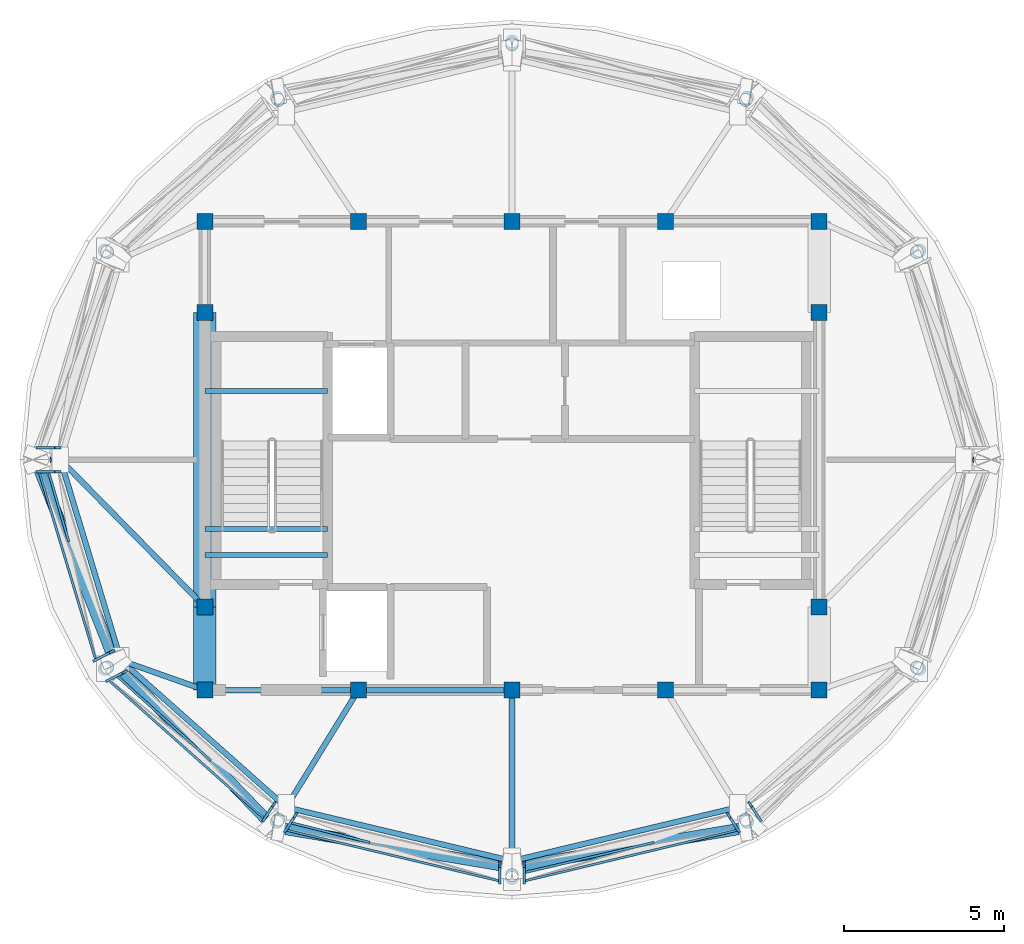
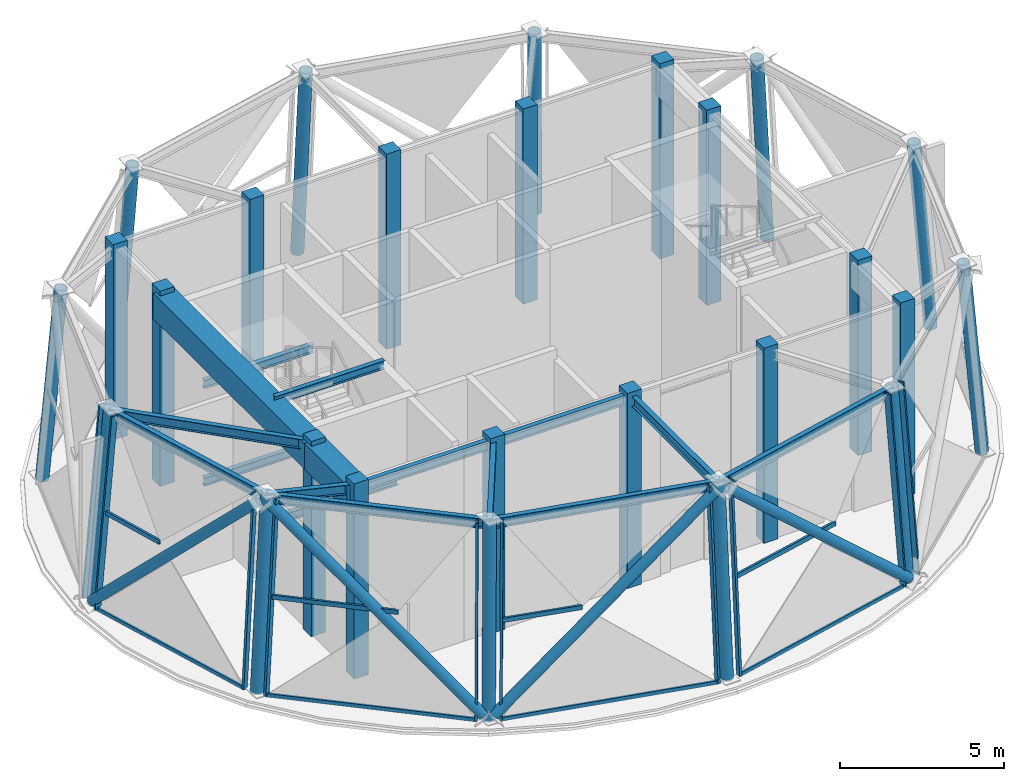
# One storey, part 1 of 8: 26 columns, 22 members, 16 beams, 6 elements without a shape of their own.
"""IFC4 building model written with IfcOpenShell, lengths in metres."""

from ifc_helpers import new_model, si_unit, direction, frame, origin, origin_2d, place, context, subcontext, project, spatial, rectangle, hollow_rectangle, hollow_circle, i_section, extrude, material, layer, layer_set, material_profile, profile_set, type_object, element, aggregate, save


model = new_model("IFC4")

# Units and contexts
model_context = context("Model", 3, precision=1e-05, world=origin(), true_north=direction((0.0, 1.0)))
body_context = subcontext(model_context, "Body", "Model", "MODEL_VIEW")
ifc_project = project(units=[si_unit("LENGTHUNIT", "METRE"), si_unit("AREAUNIT", "SQUARE_METRE"), si_unit("VOLUMEUNIT", "CUBIC_METRE"), si_unit("PLANEANGLEUNIT", "RADIAN"), si_unit("MASSUNIT", "GRAM", prefix="KILO")], contexts=[model_context])

# Site, building, storey
site_placement = place(None, origin())
site = spatial("IfcSite", under=ifc_project, at=site_placement, CompositionType="ELEMENT")
building_placement = place(site_placement, origin())
building = spatial("IfcBuilding", under=site, at=building_placement, Name="Vantalir Tower", CompositionType="ELEMENT")
storey_placement = place(building_placement, frame((0.0, 0.0, 333.5)))
storey = spatial("IfcBuildingStorey", under=building, at=storey_placement, Name="L80", CompositionType="ELEMENT", Elevation=333.5)

# Columns
ifc_material_1 = material(Name="Concrete C50/60", Category="concrete")
ifc_material_profile_1 = material_profile(ifc_material_1, rectangle(XDim=0.5, YDim=0.5, at=origin_2d()), Name="Concrete C50/60")
ifc_profile_set_1 = profile_set([ifc_material_profile_1], Name="Concrete C50/60")
column_type_1 = type_object("IfcColumnType", Name="COL-CC-500", PredefinedType="COLUMN", material=ifc_profile_set_1)
for number, where, z_axis, x_axis, name in (
    (1, (21.89990234375, 17.800048828125, 0.0), (0.0, 0.0, 1.0), (1.0, 0.0, 0.0), "L80 Core Column CC01"),
    (2, (26.699951171875, 17.800048828125, 0.0), (0.0, 0.0, 1.0), (1.0, 0.0, 0.0), "L80 Core Column CC02"),
    (3, (31.5, 17.800048828125, 0.0), (0.0, 0.0, 1.0), (1.0, 0.0, 0.0), "L80 Core Column CC03"),
    (4, (36.300048828125, 17.800048828125, 0.0), (0.0, 0.0, 1.0), (1.0, 0.0, 0.0), "L80 Core Column CC04"),
    (5, (41.10009765625, 17.800048828125, 0.0), (0.0, 0.0, 1.0), (1.0, 0.0, 0.0), "L80 Core Column CC05"),
    (6, (21.89990234375, 20.39990234375, 0.0), (0.0, 0.0, 1.0), (1.0, 0.0, 0.0), "L80 Core Column CC06"),
    (7, (21.89990234375, 29.60009765625, 0.0), (0.0, 0.0, 1.0), (1.0, 0.0, 0.0), "L80 Core Column CC07"),
    (8, (41.10009765625, 20.39990234375, 0.0), (0.0, 0.0, 1.0), (1.0, 0.0, 0.0), "L80 Core Column CC08"),
    (9, (41.10009765625, 29.60009765625, 0.0), (0.0, 0.0, 1.0), (1.0, 0.0, 0.0), "L80 Core Column CC09"),
    (10, (21.89990234375, 32.449951171875, 0.0), (0.0, 0.0, 1.0), (1.0, 0.0, 0.0), "L80 Core Column CC10"),
    (11, (26.699951171875, 32.449951171875, 0.0), (0.0, 0.0, 1.0), (1.0, 0.0, 0.0), "L80 Core Column CC11"),
    (12, (31.5, 32.449951171875, 0.0), (0.0, 0.0, 1.0), (1.0, 0.0, 0.0), "L80 Core Column CC12"),
    (13, (36.300048828125, 32.449951171875, 0.0), (0.0, 0.0, 1.0), (1.0, 0.0, 0.0), "L80 Core Column CC13"),
    (14, (41.10009765625, 32.449951171875, 0.0), (0.0, 0.0, 1.0), (1.0, 0.0, 0.0), "L80 Core Column CC14"),
):
    element("IfcColumn", number, at=place(storey_placement, frame(where, z_axis=z_axis, x_axis=x_axis)), inside=storey, type_object=column_type_1, Name=name, PredefinedType="COLUMN", context=body_context, shape_type="SweptSolid", body=[
        extrude(rectangle(XDim=0.5, YDim=0.5, at=origin_2d()), origin(), (0.0, 0.0, 1.0), 7.25),
    ])
ifc_material_2 = material(Name="Steel S460", Category="steel")
ifc_material_profile_2 = material_profile(ifc_material_2, hollow_circle(Radius=0.2099609375, WallThickness=0.02001953125, at=origin_2d()), Name="Steel S460")
ifc_profile_set_2 = profile_set([ifc_material_profile_2], Name="Steel S460")
column_type_2 = type_object("IfcColumnType", Name="COL-RC-420", PredefinedType="COLUMN", material=ifc_profile_set_2)
column_1_placement = place(storey_placement, frame((46.200927734375, 25.0, 0.0), z_axis=(-0.082729348839, 0.0, 0.996572052007), x_axis=(0.0, -1.0, 0.0)))
element("IfcColumn", 15, at=column_1_placement, inside=storey, type_object=column_type_2, Name="L80 Perimeter Ring Column RC01", PredefinedType="COLUMN", context=body_context, shape_type="SweptSolid", body=[
    extrude(hollow_circle(Radius=0.2099609375, WallThickness=0.02001953125, at=origin_2d()), origin(), (0.0, 0.0, 1.0), 7.094482421875),
])
column_2_placement = place(storey_placement, frame((44.23095703125, 31.532958984375, 0.0), z_axis=(-0.071626494536, -0.036931873444, 0.996747551792), x_axis=(0.4582838613, -0.888805885709, 0.0)))
element("IfcColumn", 16, at=column_2_placement, inside=storey, type_object=column_type_2, Name="L80 Perimeter Ring Column RC02", PredefinedType="COLUMN", context=body_context, shape_type="SweptSolid", body=[
    extrude(hollow_circle(Radius=0.2099609375, WallThickness=0.02001953125, at=origin_2d()), origin(), (0.0, 0.0, 1.0), 7.093017578125),
])
column_3_placement = place(storey_placement, frame((38.85107421875, 36.31591796875, 0.0), z_axis=(-0.041489690614, -0.06387002165, 0.997095394587), x_axis=(0.83859851135, -0.544749976376, 0.0)))
element("IfcColumn", 17, at=column_3_placement, inside=storey, type_object=column_type_2, Name="L80 Perimeter Ring Column RC03", PredefinedType="COLUMN", context=body_context, shape_type="SweptSolid", body=[
    extrude(hollow_circle(Radius=0.2099609375, WallThickness=0.02001953125, at=origin_2d()), origin(), (0.0, 0.0, 1.0), 7.090576171875),
])
column_4_placement = place(storey_placement, frame((31.5, 38.06689453125, 0.0), z_axis=(0.0, -0.073902129239, 0.997265498899), x_axis=(1.0, 0.0, 0.0)))
element("IfcColumn", 18, at=column_4_placement, inside=storey, type_object=column_type_2, Name="L80 Perimeter Ring Column RC04", PredefinedType="COLUMN", context=body_context, shape_type="SweptSolid", body=[
    extrude(hollow_circle(Radius=0.2099609375, WallThickness=0.02001953125, at=origin_2d()), origin(), (0.0, 0.0, 1.0), 7.08935546875),
])
column_5_placement = place(storey_placement, frame((24.14990234375, 36.31591796875, 0.0), z_axis=(0.041352201402, -0.063870386012, 0.997101082754), x_axis=(0.839424437623, 0.543476414871, 0.0)))
element("IfcColumn", 19, at=column_5_placement, inside=storey, type_object=column_type_2, Name="L80 Perimeter Ring Column RC05", PredefinedType="COLUMN", context=body_context, shape_type="SweptSolid", body=[
    extrude(hollow_circle(Radius=0.2099609375, WallThickness=0.02001953125, at=origin_2d()), origin(), (0.0, 0.0, 1.0), 7.090576171875),
])
column_6_placement = place(storey_placement, frame((18.76904296875, 31.532958984375, 0.0), z_axis=(0.071626494536, -0.036931873444, 0.996747551792), x_axis=(0.4582838613, 0.888805885709, 0.0)))
element("IfcColumn", 20, at=column_6_placement, inside=storey, type_object=column_type_2, Name="L80 Perimeter Ring Column RC06", PredefinedType="COLUMN", context=body_context, shape_type="SweptSolid", body=[
    extrude(hollow_circle(Radius=0.2099609375, WallThickness=0.02001953125, at=origin_2d()), origin(), (0.0, 0.0, 1.0), 7.093017578125),
])
column_7_placement = place(storey_placement, frame((16.799072265625, 25.0, 0.0), z_axis=(0.082729348839, 0.0, 0.996572052007), x_axis=(0.0, 1.0, 0.0)))
element("IfcColumn", 21, at=column_7_placement, inside=storey, type_object=column_type_2, Name="L80 Perimeter Ring Column RC07", PredefinedType="COLUMN", context=body_context, shape_type="SweptSolid", body=[
    extrude(hollow_circle(Radius=0.2099609375, WallThickness=0.02001953125, at=origin_2d()), origin(), (0.0, 0.0, 1.0), 7.094482421875),
])
column_8_placement = place(storey_placement, frame((18.76904296875, 18.466064453125, 0.0), z_axis=(0.071626494536, 0.036931873444, 0.996747551792), x_axis=(-0.4582838613, 0.888805885709, 0.0)))
element("IfcColumn", 22, at=column_8_placement, inside=storey, type_object=column_type_2, Name="L80 Perimeter Ring Column RC08", PredefinedType="COLUMN", context=body_context, shape_type="SweptSolid", body=[
    extrude(hollow_circle(Radius=0.2099609375, WallThickness=0.02001953125, at=origin_2d()), origin(), (0.0, 0.0, 1.0), 7.093017578125),
])
column_9_placement = place(storey_placement, frame((24.14892578125, 13.68408203125, 0.0), z_axis=(0.041489690614, 0.06387002165, 0.997095394587), x_axis=(-0.83859851135, 0.544749976376, 0.0)))
element("IfcColumn", 23, at=column_9_placement, inside=storey, type_object=column_type_2, Name="L80 Perimeter Ring Column RC09", PredefinedType="COLUMN", context=body_context, shape_type="SweptSolid", body=[
    extrude(hollow_circle(Radius=0.2099609375, WallThickness=0.02001953125, at=origin_2d()), origin(), (0.0, 0.0, 1.0), 7.090576171875),
])
column_10_placement = place(storey_placement, frame((31.5, 11.93310546875, 0.0), z_axis=(0.0, 0.073902129239, 0.997265498899), x_axis=(-1.0, 0.0, 0.0)))
element("IfcColumn", 24, at=column_10_placement, inside=storey, type_object=column_type_2, Name="L80 Perimeter Ring Column RC10", PredefinedType="COLUMN", context=body_context, shape_type="SweptSolid", body=[
    extrude(hollow_circle(Radius=0.2099609375, WallThickness=0.02001953125, at=origin_2d()), origin(), (0.0, 0.0, 1.0), 7.08935546875),
])
column_11_placement = place(storey_placement, frame((38.85107421875, 13.68408203125, 0.0), z_axis=(-0.041489690614, 0.06387002165, 0.997095394587), x_axis=(-0.83859851135, -0.544749976376, 0.0)))
element("IfcColumn", 25, at=column_11_placement, inside=storey, type_object=column_type_2, Name="L80 Perimeter Ring Column RC11", PredefinedType="COLUMN", context=body_context, shape_type="SweptSolid", body=[
    extrude(hollow_circle(Radius=0.2099609375, WallThickness=0.02001953125, at=origin_2d()), origin(), (0.0, 0.0, 1.0), 7.090576171875),
])
column_12_placement = place(storey_placement, frame((44.23095703125, 18.466064453125, 0.0), z_axis=(-0.071626494536, 0.036931873444, 0.996747551792), x_axis=(-0.4582838613, -0.888805885709, 0.0)))
element("IfcColumn", 26, at=column_12_placement, inside=storey, type_object=column_type_2, Name="L80 Perimeter Ring Column RC12", PredefinedType="COLUMN", context=body_context, shape_type="SweptSolid", body=[
    extrude(hollow_circle(Radius=0.2099609375, WallThickness=0.02001953125, at=origin_2d()), origin(), (0.0, 0.0, 1.0), 7.093017578125),
])

# Beams
ifc_material_3 = material(Name="Concrete C60/75", Category="concrete")
ifc_material_profile_3 = material_profile(ifc_material_3, rectangle(XDim=0.699951171875, YDim=0.949951171875, at=origin_2d()), Name="Concrete C60/75")
ifc_profile_set_3 = profile_set([ifc_material_profile_3], Name="Concrete C60/75")
beam_type_1 = type_object("IfcBeamType", Name="BM-CB-700x950", PredefinedType="USERDEFINED", material=ifc_profile_set_3)
beam_1_placement = place(storey_placement, frame((21.89990234375, 29.60009765625, 6.594970703125), z_axis=(0.0, -1.0, 0.0), x_axis=(1.0, 0.0, 0.0)))
element("IfcBeam", 27, at=beam_1_placement, inside=storey, type_object=beam_type_1, Name="L80 Core Coupling Girder 13", ObjectType="GIRDER", PredefinedType="USERDEFINED", context=body_context, shape_type="SweptSolid", body=[
    extrude(rectangle(XDim=0.699951171875, YDim=0.949951171875, at=origin_2d()), origin(), (0.0, 0.0, 1.0), 9.2001953125),
])
beam_2_placement = place(storey_placement, frame((21.89990234375, 20.39990234375, 6.594970703125), z_axis=(0.0, -1.0, 0.0), x_axis=(1.0, 0.0, 0.0)))
element("IfcBeam", 28, at=beam_2_placement, inside=storey, type_object=beam_type_1, Name="L80 Core Coupling Girder 14", ObjectType="GIRDER", PredefinedType="USERDEFINED", context=body_context, shape_type="SweptSolid", body=[
    extrude(rectangle(XDim=0.699951171875, YDim=0.949951171875, at=origin_2d()), origin(), (0.0, 0.0, 1.0), 2.599853515625),
])
ifc_material_4 = material(Name="Steel S355", Category="steel")
ifc_material_profile_4 = material_profile(ifc_material_4, i_section(OverallWidth=0.166015625, OverallDepth=0.306884765625, WebThickness=0.006591796875, FlangeThickness=0.01171875, at=origin_2d()), Name="Steel S355")
ifc_profile_set_4 = profile_set([ifc_material_profile_4], Name="Steel S355")
beam_type_2 = type_object("IfcBeamType", Name="BM-JS-305x165", PredefinedType="JOIST", material=ifc_profile_set_4)
for number, where, z_axis, x_axis, name in (
    (29, (21.89990234375, 22.8349609375, 7.095947265625), (1.0, 0.0, 0.0), (0.0, 1.0, 0.0), "L81 Stair ST1 Well Nosing Trimmer Beam"),
    (30, (21.89990234375, 27.14501953125, 1.458984375), (1.0, 0.0, 0.0), (0.0, 1.0, 0.0), "L80 Stair ST1 Half-Landing Support Beam"),
    (31, (21.89990234375, 22.02001953125, 3.27197265625), (1.0, 0.0, 0.0), (0.0, 1.0, 0.0), "L80 Stair ST1 Half-Landing Support Beam"),
    (32, (21.89990234375, 27.14501953125, 5.083984375), (1.0, 0.0, 0.0), (0.0, 1.0, 0.0), "L80 Stair ST1 Half-Landing Support Beam"),
):
    element("IfcBeam", number, at=place(storey_placement, frame(where, z_axis=z_axis, x_axis=x_axis)), inside=storey, type_object=beam_type_2, Name=name, PredefinedType="JOIST", context=body_context, shape_type="SweptSolid", body=[
        extrude(i_section(OverallWidth=0.166015625, OverallDepth=0.306884765625, WebThickness=0.006591796875, FlangeThickness=0.01171875, at=origin_2d()), origin(), (0.0, 0.0, 1.0), 3.840087890625),
    ])
ifc_material_profile_5 = material_profile(ifc_material_2, i_section(OverallWidth=0.172119140625, OverallDepth=0.35791015625, WebThickness=0.008056640625, FlangeThickness=0.012939453125, at=origin_2d()), Name="Steel S460")
ifc_profile_set_5 = profile_set([ifc_material_profile_5], Name="Steel S460")
beam_type_3 = type_object("IfcBeamType", Name="BM-RB-356x171", PredefinedType="BEAM", material=ifc_profile_set_5)
for number, where, z_axis, x_axis, name in (
    (33, (21.89990234375, 17.800048828125, 6.89111328125), (1.0, 0.0, 0.0), (0.0, 1.0, 0.0), "L80 Core Coupling Girder 01"),
    (34, (26.699951171875, 17.800048828125, 6.89111328125), (1.0, 0.0, 0.0), (0.0, 1.0, 0.0), "L80 Core Coupling Girder 02"),
):
    element("IfcBeam", number, at=place(storey_placement, frame(where, z_axis=z_axis, x_axis=x_axis)), inside=storey, type_object=beam_type_3, Name=name, PredefinedType="BEAM", context=body_context, shape_type="SweptSolid", body=[
        extrude(i_section(OverallWidth=0.172119140625, OverallDepth=0.35791015625, WebThickness=0.008056640625, FlangeThickness=0.012939453125, at=origin_2d()), origin(), (0.0, 0.0, 1.0), 4.800048828125),
    ])
beam_3_placement = place(storey_placement, frame((17.385986328125, 25.0, 6.89111328125), z_axis=(0.288681063793, -0.957425320016, 0.0), x_axis=(0.957425320016, 0.288681063793, 0.0)))
element("IfcBeam", 35, at=beam_3_placement, inside=storey, type_object=beam_type_3, Name="L80 Circumferential Ring Girder 07", PredefinedType="BEAM", context=body_context, shape_type="SweptSolid", body=[
    extrude(i_section(OverallWidth=0.172119140625, OverallDepth=0.35791015625, WebThickness=0.008056640625, FlangeThickness=0.012939453125, at=origin_2d()), origin(), (0.0, 0.0, 1.0), 6.55078125),
])
beam_4_placement = place(storey_placement, frame((17.385986328125, 25.0, 6.89111328125), z_axis=(0.700389104204, -0.713761236487, 0.0), x_axis=(0.713761236487, 0.700389104204, 0.0)))
element("IfcBeam", 36, at=beam_4_placement, inside=storey, type_object=beam_type_3, Name="L80 Radial Floor Beam 07", PredefinedType="BEAM", context=body_context, shape_type="SweptSolid", body=[
    extrude(i_section(OverallWidth=0.172119140625, OverallDepth=0.35791015625, WebThickness=0.008056640625, FlangeThickness=0.012939453125, at=origin_2d()), origin(), (0.0, 0.0, 1.0), 6.44482421875),
])
beam_5_placement = place(storey_placement, frame((19.277099609375, 18.72802734375, 6.89111328125), z_axis=(0.747477528585, -0.664287094756, 0.0), x_axis=(0.664287094756, 0.747477528585, 0.0)))
element("IfcBeam", 37, at=beam_5_placement, inside=storey, type_object=beam_type_3, Name="L80 Circumferential Ring Girder 08", PredefinedType="BEAM", context=body_context, shape_type="SweptSolid", body=[
    extrude(i_section(OverallWidth=0.172119140625, OverallDepth=0.35791015625, WebThickness=0.008056640625, FlangeThickness=0.012939453125, at=origin_2d()), origin(), (0.0, 0.0, 1.0), 6.911376953125),
])
beam_6_placement = place(storey_placement, frame((19.277099609375, 18.72802734375, 6.89111328125), z_axis=(0.942732461803, -0.333549854539, 0.0), x_axis=(0.333549854539, 0.942732461803, 0.0)))
element("IfcBeam", 38, at=beam_6_placement, inside=storey, type_object=beam_type_3, Name="L80 Radial Floor Beam 08", PredefinedType="BEAM", context=body_context, shape_type="SweptSolid", body=[
    extrude(i_section(OverallWidth=0.172119140625, OverallDepth=0.35791015625, WebThickness=0.008056640625, FlangeThickness=0.012939453125, at=origin_2d()), origin(), (0.0, 0.0, 1.0), 2.7822265625),
])
beam_7_placement = place(storey_placement, frame((24.443115234375, 14.136962890625, 6.89111328125), z_axis=(0.97281488068, -0.231584127105, 0.0), x_axis=(0.231584127105, 0.97281488068, 0.0)))
element("IfcBeam", 39, at=beam_7_placement, inside=storey, type_object=beam_type_3, Name="L80 Circumferential Ring Girder 09", PredefinedType="BEAM", context=body_context, shape_type="SweptSolid", body=[
    extrude(i_section(OverallWidth=0.172119140625, OverallDepth=0.35791015625, WebThickness=0.008056640625, FlangeThickness=0.012939453125, at=origin_2d()), origin(), (0.0, 0.0, 1.0), 7.254150390625),
])
beam_8_placement = place(storey_placement, frame((24.443115234375, 14.136962890625, 6.89111328125), z_axis=(0.524540590283, 0.851385441, 0.0), x_axis=(-0.851385441, 0.524540590283, 0.0)))
element("IfcBeam", 40, at=beam_8_placement, inside=storey, type_object=beam_type_3, Name="L80 Radial Floor Beam 09", PredefinedType="BEAM", context=body_context, shape_type="SweptSolid", body=[
    extrude(i_section(OverallWidth=0.172119140625, OverallDepth=0.35791015625, WebThickness=0.008056640625, FlangeThickness=0.012939453125, at=origin_2d()), origin(), (0.0, 0.0, 1.0), 4.302490234375),
])
beam_9_placement = place(storey_placement, frame((31.5, 12.45703125, 6.89111328125), z_axis=(0.97281488068, 0.231584127105, 0.0), x_axis=(-0.231584127105, 0.97281488068, 0.0)))
element("IfcBeam", 41, at=beam_9_placement, inside=storey, type_object=beam_type_3, Name="L80 Circumferential Ring Girder 10", PredefinedType="BEAM", context=body_context, shape_type="SweptSolid", body=[
    extrude(i_section(OverallWidth=0.172119140625, OverallDepth=0.35791015625, WebThickness=0.008056640625, FlangeThickness=0.012939453125, at=origin_2d()), origin(), (0.0, 0.0, 1.0), 7.254150390625),
])
beam_10_placement = place(storey_placement, frame((31.5, 12.45703125, 6.89111328125), z_axis=(0.0, 1.0, 0.0), x_axis=(-1.0, 0.0, 0.0)))
element("IfcBeam", 42, at=beam_10_placement, inside=storey, type_object=beam_type_3, Name="L80 Radial Floor Beam 10", PredefinedType="BEAM", context=body_context, shape_type="SweptSolid", body=[
    extrude(i_section(OverallWidth=0.172119140625, OverallDepth=0.35791015625, WebThickness=0.008056640625, FlangeThickness=0.012939453125, at=origin_2d()), origin(), (0.0, 0.0, 1.0), 5.343017578125),
])

# Curtain wall, member
ifc_material_5 = material(Name="Champagne-silver PVDF aluminium and double-silver Low-E glass", Category="aluminium")
ifc_layer = layer(ifc_material_5, 0.25)
ifc_layer_set = layer_set([ifc_layer], Name="Champagne-silver PVDF aluminium and double-silver Low-E glass")
curtain_wall_type = type_object("IfcCurtainWallType", Name="CW-CROWN-PT", PredefinedType="USERDEFINED", material=ifc_layer_set)
curtain_wall_1_placement = place(storey_placement, origin())
curtain_wall_1 = element("IfcCurtainWall", 43, at=curtain_wall_1_placement, inside=storey, type_object=curtain_wall_type, Name="L80 Quilted Pyramid-Diamond Curtain Wall S06", ObjectType="UNITISED CURTAIN WALL", PredefinedType="USERDEFINED")
ifc_material_6 = material(Name="Champagne-silver PVDF aluminium 6063-T6", Category="aluminium")
ifc_material_profile_6 = material_profile(ifc_material_6, hollow_rectangle(XDim=0.080078125, YDim=0.199951171875, WallThickness=0.0048828125, at=origin_2d()), Name="Champagne-silver PVDF aluminium 6063-T6")
ifc_profile_set_6 = profile_set([ifc_material_profile_6], Name="Champagne-silver PVDF aluminium 6063-T6")
member_type_1 = type_object("IfcMemberType", Name="CWM-200x80", PredefinedType="MULLION", material=ifc_profile_set_6)
member_1_placement = place(storey_placement, frame((16.720947265625, 25.373046875, 0.044921875), z_axis=(0.083824264782, 0.0, 0.996480553064), x_axis=(0.0, 1.0, 0.0)))
member_1 = element("IfcMember", 44, at=member_1_placement, type_object=member_type_1, Name="CW-L80-S06 Mullion 2", PredefinedType="MULLION", context=body_context, shape_type="SweptSolid", body=[
    extrude(hollow_rectangle(XDim=0.080078125, YDim=0.199951171875, WallThickness=0.0048828125, at=origin_2d()), origin(), (0.0, 0.0, 1.0), 7.004638671875),
])
aggregate(curtain_wall_1, [member_1])

# Curtain wall, members
curtain_wall_2_placement = place(storey_placement, origin())
curtain_wall_2 = element("IfcCurtainWall", 45, at=curtain_wall_2_placement, inside=storey, type_object=curtain_wall_type, Name="L80 Quilted Pyramid-Diamond Curtain Wall S07", ObjectType="UNITISED CURTAIN WALL", PredefinedType="USERDEFINED")
member_2_placement = place(storey_placement, frame((16.720947265625, 24.626953125, 0.044921875), z_axis=(0.083824264782, 0.0, 0.996480553064), x_axis=(0.0, 1.0, 0.0)))
member_2 = element("IfcMember", 46, at=member_2_placement, type_object=member_type_1, Name="CW-L80-S07 Mullion 1", PredefinedType="MULLION", context=body_context, shape_type="SweptSolid", body=[
    extrude(hollow_rectangle(XDim=0.080078125, YDim=0.199951171875, WallThickness=0.0048828125, at=origin_2d()), origin(), (0.0, 0.0, 1.0), 7.004638671875),
])
member_3_placement = place(storey_placement, frame((18.491943359375, 18.743896484375, 0.044921875), z_axis=(0.072544735514, 0.03744019507, 0.996662176037), x_axis=(-0.458621165042, 0.888631884965, 0.0)))
member_3 = element("IfcMember", 47, at=member_3_placement, type_object=member_type_1, Name="CW-L80-S07 Mullion 2", PredefinedType="MULLION", context=body_context, shape_type="SweptSolid", body=[
    extrude(hollow_rectangle(XDim=0.080078125, YDim=0.199951171875, WallThickness=0.0048828125, at=origin_2d()), origin(), (0.0, 0.0, 1.0), 7.00341796875),
])

curtain_wall_3_placement = place(storey_placement, origin())
curtain_wall_3 = element("IfcCurtainWall", 48, at=curtain_wall_3_placement, inside=storey, type_object=curtain_wall_type, Name="L80 Quilted Pyramid-Diamond Curtain Wall S08", ObjectType="UNITISED CURTAIN WALL", PredefinedType="USERDEFINED")
member_4_placement = place(storey_placement, frame((18.89501953125, 18.112060546875, 0.044921875), z_axis=(0.072544830154, 0.037405383352, 0.996663476262), x_axis=(-0.4582838613, 0.888805885709, 0.0)))
member_4 = element("IfcMember", 49, at=member_4_placement, type_object=member_type_1, Name="CW-L80-S08 Mullion 1", PredefinedType="MULLION", context=body_context, shape_type="SweptSolid", body=[
    extrude(hollow_rectangle(XDim=0.080078125, YDim=0.199951171875, WallThickness=0.0048828125, at=origin_2d()), origin(), (0.0, 0.0, 1.0), 7.00341796875),
])
member_5_placement = place(storey_placement, frame((23.762939453125, 13.778076171875, 0.044921875), z_axis=(0.041986824775, 0.0648284944, 0.997012724522), x_axis=(-0.839339926536, 0.54360692391, 0.0)))
member_5 = element("IfcMember", 50, at=member_5_placement, type_object=member_type_1, Name="CW-L80-S08 Mullion 2", PredefinedType="MULLION", context=body_context, shape_type="SweptSolid", body=[
    extrude(hollow_rectangle(XDim=0.080078125, YDim=0.199951171875, WallThickness=0.0048828125, at=origin_2d()), origin(), (0.0, 0.0, 1.0), 7.0009765625),
])

curtain_wall_4_placement = place(storey_placement, origin())
curtain_wall_4 = element("IfcCurtainWall", 51, at=curtain_wall_4_placement, inside=storey, type_object=curtain_wall_type, Name="L80 Quilted Pyramid-Diamond Curtain Wall S09", ObjectType="UNITISED CURTAIN WALL", PredefinedType="USERDEFINED")
member_6_placement = place(storey_placement, frame((24.43310546875, 13.428955078125, 0.044921875), z_axis=(0.041986729828, 0.064863220499, 0.997010469927), x_axis=(-0.839473273036, 0.54340097889, 0.0)))
member_6 = element("IfcMember", 52, at=member_6_placement, type_object=member_type_1, Name="CW-L80-S09 Mullion 1", PredefinedType="MULLION", context=body_context, shape_type="SweptSolid", body=[
    extrude(hollow_rectangle(XDim=0.080078125, YDim=0.199951171875, WallThickness=0.0048828125, at=origin_2d()), origin(), (0.0, 0.0, 1.0), 7.0009765625),
])
member_7_placement = place(storey_placement, frame((31.12109375, 11.8330078125, 0.044921875), z_axis=(0.0, 0.074850645186, 0.99719475576), x_axis=(-1.0, 0.0, 0.0)))
member_7 = element("IfcMember", 53, at=member_7_placement, type_object=member_type_1, Name="CW-L80-S09 Mullion 2", PredefinedType="MULLION", context=body_context, shape_type="SweptSolid", body=[
    extrude(hollow_rectangle(XDim=0.080078125, YDim=0.199951171875, WallThickness=0.0048828125, at=origin_2d()), origin(), (0.0, 0.0, 1.0), 6.99951171875),
])

curtain_wall_5_placement = place(storey_placement, origin())
curtain_wall_5 = element("IfcCurtainWall", 54, at=curtain_wall_5_placement, inside=storey, type_object=curtain_wall_type, Name="L80 Quilted Pyramid-Diamond Curtain Wall S10", ObjectType="UNITISED CURTAIN WALL", PredefinedType="USERDEFINED")
member_8_placement = place(storey_placement, frame((31.87890625, 11.8330078125, 0.044921875), z_axis=(0.0, 0.074850645186, 0.99719475576), x_axis=(-1.0, 0.0, 0.0)))
member_8 = element("IfcMember", 55, at=member_8_placement, type_object=member_type_1, Name="CW-L80-S10 Mullion 1", PredefinedType="MULLION", context=body_context, shape_type="SweptSolid", body=[
    extrude(hollow_rectangle(XDim=0.080078125, YDim=0.199951171875, WallThickness=0.0048828125, at=origin_2d()), origin(), (0.0, 0.0, 1.0), 6.99951171875),
])
member_9_placement = place(storey_placement, frame((38.56689453125, 13.428955078125, 0.044921875), z_axis=(-0.041986729828, 0.064863220499, 0.997010469927), x_axis=(-0.839473273036, -0.54340097889, 0.0)))
member_9 = element("IfcMember", 56, at=member_9_placement, type_object=member_type_1, Name="CW-L80-S10 Mullion 2", PredefinedType="MULLION", context=body_context, shape_type="SweptSolid", body=[
    extrude(hollow_rectangle(XDim=0.080078125, YDim=0.199951171875, WallThickness=0.0048828125, at=origin_2d()), origin(), (0.0, 0.0, 1.0), 7.0009765625),
])

# Curtain wall, member
curtain_wall_6_placement = place(storey_placement, origin())
curtain_wall_6 = element("IfcCurtainWall", 57, at=curtain_wall_6_placement, inside=storey, type_object=curtain_wall_type, Name="L80 Quilted Pyramid-Diamond Curtain Wall S11", ObjectType="UNITISED CURTAIN WALL", PredefinedType="USERDEFINED")
member_10_placement = place(storey_placement, frame((39.237060546875, 13.778076171875, 0.044921875), z_axis=(-0.041986824775, 0.0648284944, 0.997012724522), x_axis=(-0.839339926536, -0.54360692391, 0.0)))
member_10 = element("IfcMember", 58, at=member_10_placement, type_object=member_type_1, Name="CW-L80-S11 Mullion 1", PredefinedType="MULLION", context=body_context, shape_type="SweptSolid", body=[
    extrude(hollow_rectangle(XDim=0.080078125, YDim=0.199951171875, WallThickness=0.0048828125, at=origin_2d()), origin(), (0.0, 0.0, 1.0), 7.0009765625),
])
aggregate(curtain_wall_6, [member_10])

# Member
ifc_material_profile_7 = material_profile(ifc_material_6, hollow_rectangle(XDim=0.070068359375, YDim=0.139892578125, WallThickness=0.00390625, at=origin_2d()), Name="Champagne-silver PVDF aluminium 6063-T6")
ifc_profile_set_7 = profile_set([ifc_material_profile_7], Name="Champagne-silver PVDF aluminium 6063-T6")
member_type_2 = type_object("IfcMemberType", Name="CWT-140x70", PredefinedType="USERDEFINED", material=ifc_profile_set_7)
member_11_placement = place(storey_placement, frame((16.720947265625, 24.626953125, 0.054931640625), z_axis=(0.288255520468, -0.957553525877, 0.0), x_axis=(0.957553525877, 0.288255520468, 0.0)))
member_11 = element("IfcMember", 59, at=member_11_placement, type_object=member_type_2, Name="CW-L80-S07 Sill Transom", ObjectType="TRANSOM", PredefinedType="USERDEFINED", context=body_context, shape_type="SweptSolid", body=[
    extrude(hollow_rectangle(XDim=0.070068359375, YDim=0.139892578125, WallThickness=0.00390625, at=origin_2d()), origin(), (0.0, 0.0, 1.0), 6.143798828125),
])

member_12_placement = place(storey_placement, frame((18.89501953125, 18.112060546875, 0.054931640625), z_axis=(0.746880016223, -0.664958826821, 0.0), x_axis=(0.664958826821, 0.746880016223, 0.0)))
member_12 = element("IfcMember", 60, at=member_12_placement, type_object=member_type_2, Name="CW-L80-S08 Sill Transom", ObjectType="TRANSOM", PredefinedType="USERDEFINED", context=body_context, shape_type="SweptSolid", body=[
    extrude(hollow_rectangle(XDim=0.070068359375, YDim=0.139892578125, WallThickness=0.00390625, at=origin_2d()), origin(), (0.0, 0.0, 1.0), 6.517578125),
])

member_13_placement = place(storey_placement, frame((24.43310546875, 13.428955078125, 0.054931640625), z_axis=(0.972689129656, -0.232111733977, 0.0), x_axis=(0.232111733977, 0.972689129656, 0.0)))
member_13 = element("IfcMember", 61, at=member_13_placement, type_object=member_type_2, Name="CW-L80-S09 Sill Transom", ObjectType="TRANSOM", PredefinedType="USERDEFINED", context=body_context, shape_type="SweptSolid", body=[
    extrude(hollow_rectangle(XDim=0.070068359375, YDim=0.139892578125, WallThickness=0.00390625, at=origin_2d()), origin(), (0.0, 0.0, 1.0), 6.875732421875),
])

member_14_placement = place(storey_placement, frame((31.87890625, 11.8330078125, 0.054931640625), z_axis=(0.972689129656, 0.232111733977, 0.0), x_axis=(-0.232111733977, 0.972689129656, 0.0)))
member_14 = element("IfcMember", 62, at=member_14_placement, type_object=member_type_2, Name="CW-L80-S10 Sill Transom", ObjectType="TRANSOM", PredefinedType="USERDEFINED", context=body_context, shape_type="SweptSolid", body=[
    extrude(hollow_rectangle(XDim=0.070068359375, YDim=0.139892578125, WallThickness=0.00390625, at=origin_2d()), origin(), (0.0, 0.0, 1.0), 6.875732421875),
])

ifc_material_profile_8 = material_profile(ifc_material_6, hollow_rectangle(XDim=0.074951171875, YDim=0.159912109375, WallThickness=0.00390625, at=origin_2d()), Name="Champagne-silver PVDF aluminium 6063-T6")
ifc_profile_set_8 = profile_set([ifc_material_profile_8], Name="Champagne-silver PVDF aluminium 6063-T6")
member_type_3 = type_object("IfcMemberType", Name="CWT-160x75", PredefinedType="USERDEFINED", material=ifc_profile_set_8)
member_15_placement = place(storey_placement, frame((17.014892578125, 24.626953125, 3.534912109375), z_axis=(0.278099678622, -0.960552220731, 0.0), x_axis=(0.960552220731, 0.278099678622, 0.0)))
member_15 = element("IfcMember", 63, at=member_15_placement, type_object=member_type_3, Name="CW-L80-S07 Pyramid Fold Ridge Transom", ObjectType="TRANSOM", PredefinedType="USERDEFINED", context=body_context, shape_type="SweptSolid", body=[
    extrude(hollow_rectangle(XDim=0.074951171875, YDim=0.159912109375, WallThickness=0.00390625, at=origin_2d()), origin(), (0.0, 0.0, 1.0), 2.27978515625),
])

aggregate(curtain_wall_2, [member_2, member_3, member_11, member_15])

member_16_placement = place(storey_placement, frame((19.14892578125, 18.242919921875, 3.534912109375), z_axis=(0.743011350779, -0.669278815304, 0.0), x_axis=(0.669278815304, 0.743011350779, 0.0)))
member_16 = element("IfcMember", 64, at=member_16_placement, type_object=member_type_3, Name="CW-L80-S08 Pyramid Fold Ridge Transom", ObjectType="TRANSOM", PredefinedType="USERDEFINED", context=body_context, shape_type="SweptSolid", body=[
    extrude(hollow_rectangle(XDim=0.074951171875, YDim=0.159912109375, WallThickness=0.00390625, at=origin_2d()), origin(), (0.0, 0.0, 1.0), 3.9501953125),
])

aggregate(curtain_wall_3, [member_4, member_5, member_12, member_16])

member_17_placement = place(storey_placement, frame((24.580078125, 13.656005859375, 3.534912109375), z_axis=(0.970439991424, -0.241342542963, 0.0), x_axis=(0.241342542963, 0.970439991424, 0.0)))
member_17 = element("IfcMember", 65, at=member_17_placement, type_object=member_type_3, Name="CW-L80-S09 Pyramid Fold Ridge Transom", ObjectType="TRANSOM", PredefinedType="USERDEFINED", context=body_context, shape_type="SweptSolid", body=[
    extrude(hollow_rectangle(XDim=0.074951171875, YDim=0.159912109375, WallThickness=0.00390625, at=origin_2d()), origin(), (0.0, 0.0, 1.0), 2.55224609375),
])

aggregate(curtain_wall_4, [member_6, member_7, member_13, member_17])

member_18_placement = place(storey_placement, frame((31.87890625, 12.094970703125, 3.534912109375), z_axis=(0.974013130266, 0.226491549664, 0.0), x_axis=(-0.226491549664, 0.974013130266, 0.0)))
member_18 = element("IfcMember", 66, at=member_18_placement, type_object=member_type_3, Name="CW-L80-S10 Pyramid Fold Ridge Transom", ObjectType="TRANSOM", PredefinedType="USERDEFINED", context=body_context, shape_type="SweptSolid", body=[
    extrude(hollow_rectangle(XDim=0.074951171875, YDim=0.159912109375, WallThickness=0.00390625, at=origin_2d()), origin(), (0.0, 0.0, 1.0), 4.172607421875),
])

aggregate(curtain_wall_5, [member_8, member_9, member_14, member_18])

# Members
ifc_material_profile_9 = material_profile(ifc_material_2, hollow_circle(Radius=0.177490234375, WallThickness=0.02001953125, at=origin_2d()), Name="Steel S460")
ifc_profile_set_9 = profile_set([ifc_material_profile_9], Name="Steel S460")
member_type_4 = type_object("IfcMemberType", Name="MEM-DB-355x20", PredefinedType="BRACE", material=ifc_profile_set_9)
member_19_placement = place(storey_placement, frame((16.666015625, 24.85595703125, 0.236083984375), z_axis=(0.257316784842, -0.654770631149, 0.710678192168), x_axis=(0.930710142962, 0.365757610703, 0.0)))
element("IfcMember", 67, at=member_19_placement, inside=storey, type_object=member_type_4, Name="L80 CROWN FRAME Diagrid Brace R19L", PredefinedType="BRACE", context=body_context, shape_type="SweptSolid", body=[
    extrude(hollow_circle(Radius=0.177490234375, WallThickness=0.02001953125, at=origin_2d()), origin(), (0.0, 0.0, 1.0), 9.283935546875),
])
member_20_placement = place(storey_placement, frame((24.214111328125, 13.491943359375, 0.22900390625), z_axis=(0.727541746998, -0.122312160906, 0.675072397354), x_axis=(0.165790463135, 0.986161002237, 0.0)))
element("IfcMember", 68, at=member_20_placement, inside=storey, type_object=member_type_4, Name="L80 CROWN FRAME Diagrid Brace R25L", PredefinedType="BRACE", context=body_context, shape_type="SweptSolid", body=[
    extrude(hollow_circle(Radius=0.177490234375, WallThickness=0.02001953125, at=origin_2d()), origin(), (0.0, 0.0, 1.0), 9.794677734375),
])
member_21_placement = place(storey_placement, frame((23.944091796875, 13.632080078125, 0.23291015625), z_axis=(-0.498303961637, 0.515796898766, 0.696883577824), x_axis=(-0.719197170696, -0.69480603744, 0.0)))
element("IfcMember", 69, at=member_21_placement, inside=storey, type_object=member_type_4, Name="L80 CROWN FRAME Diagrid Brace R25R", PredefinedType="BRACE", context=body_context, shape_type="SweptSolid", body=[
    extrude(hollow_circle(Radius=0.177490234375, WallThickness=0.02001953125, at=origin_2d()), origin(), (0.0, 0.0, 1.0), 9.4765625),
])
member_22_placement = place(storey_placement, frame((38.785888671875, 13.491943359375, 0.22900390625), z_axis=(-0.727541746998, -0.122312160906, 0.675072397354), x_axis=(0.165790463135, -0.986161002237, 0.0)))
element("IfcMember", 70, at=member_22_placement, inside=storey, type_object=member_type_4, Name="L80 CROWN FRAME Diagrid Brace R31R", PredefinedType="BRACE", context=body_context, shape_type="SweptSolid", body=[
    extrude(hollow_circle(Radius=0.177490234375, WallThickness=0.02001953125, at=origin_2d()), origin(), (0.0, 0.0, 1.0), 9.794677734375),
])

save(model, "model.ifc")
